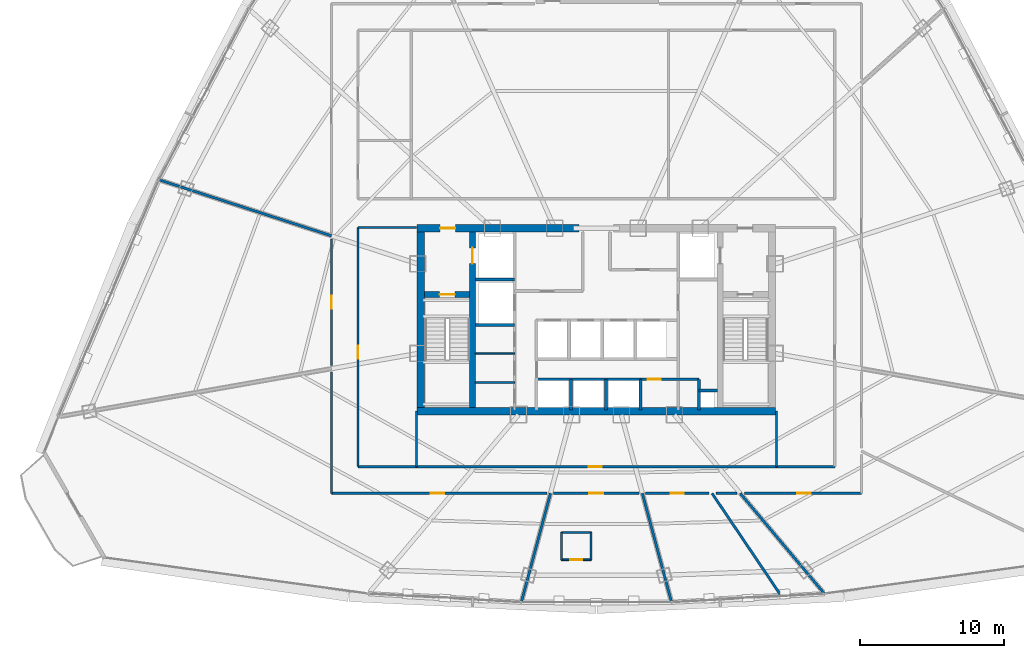
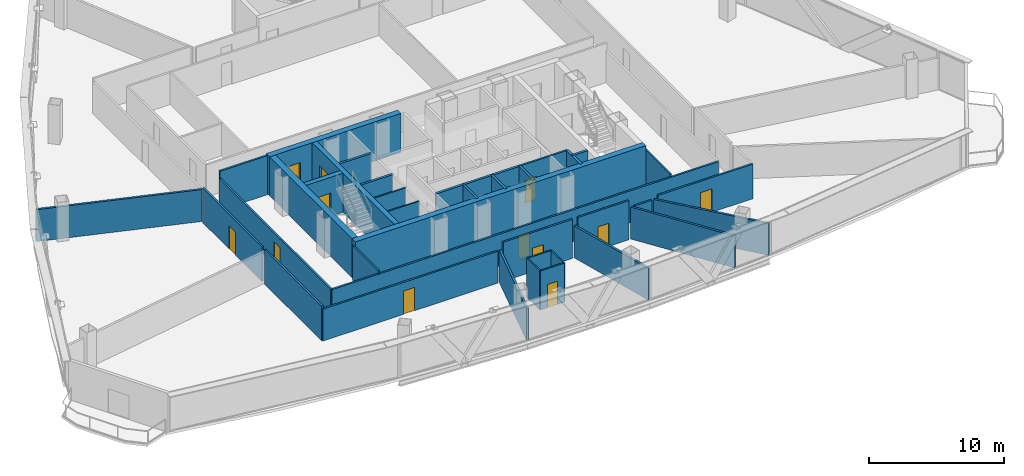
# One storey, part 30 of 37: 37 walls, 12 doors, 12 openings.
"""IFC4 building model written with IfcOpenShell, lengths in metres."""

from ifc_helpers import new_model, si_unit, direction, frame, frame_2d, origin, origin_with_axes, place, context, subcontext, project, spatial, rectangle, extrude, source, transform, mapped, material, layer, layer_set, type_object, element, fill, save


model = new_model("IFC4")

# Units and contexts
model_context = context("Model", 3, precision=1e-05, world=origin(), true_north=direction((0.0, 1.0)))
body_context = subcontext(model_context, "Body", "Model", "MODEL_VIEW")
ifc_project = project(units=[si_unit("LENGTHUNIT", "METRE"), si_unit("AREAUNIT", "SQUARE_METRE"), si_unit("VOLUMEUNIT", "CUBIC_METRE"), si_unit("PLANEANGLEUNIT", "RADIAN"), si_unit("MASSUNIT", "GRAM", prefix="KILO"), si_unit("THERMODYNAMICTEMPERATUREUNIT", "KELVIN"), si_unit("POWERUNIT", "WATT")], contexts=[model_context])

# Site, building, storey
site_placement = place(None, origin())
site = spatial("IfcSite", under=ifc_project, at=site_placement, CompositionType="ELEMENT")
building_placement = place(site_placement, origin())
building = spatial("IfcBuilding", under=site, at=building_placement, Name="Yunzhuo Pagoda Commons", CompositionType="ELEMENT")
storey_placement = place(building_placement, frame((0.0, 0.0, 199.9599609375)))
storey = spatial("IfcBuildingStorey", under=building, at=storey_placement, Name="L50", CompositionType="ELEMENT", Elevation=199.9599609375)

# Wall
ifc_material_1 = material(Name="Concrete C50", Category="concrete")
ifc_layer_1 = layer(ifc_material_1, 0.5)
ifc_layer_set_1 = layer_set([ifc_layer_1], Name="Concrete C50")
wall_type_1 = type_object("IfcWallType", Name="W-C03 Upper Core Shear Wall 500", PredefinedType="SHEAR", material=ifc_layer_set_1)
wall_1_placement = place(storey_placement, frame((35.550048828125, 27.5, 0.0), z_axis=(0.0, 0.0, 1.0), x_axis=(1.0, 0.0, 0.0)))
element("IfcWall", 1, at=wall_1_placement, inside=storey, type_object=wall_type_1, Name="L50 core shear wall S", PredefinedType="SHEAR", context=body_context, shape_type="SweptSolid", body=[
    extrude(rectangle(XDim=24.89990234375, YDim=0.5, at=frame_2d((12.449951171875, 0.0))), origin(), (0.0, 0.0, 1.0), 3.5400390625),
])

# Wall, opening, door
wall_2_placement = place(storey_placement, frame((35.550048828125, 40.199951171875, 0.0), z_axis=(0.0, 0.0, 1.0), x_axis=(1.0, 0.0, 0.0)))
wall_2 = element("IfcWall", 2, at=wall_2_placement, inside=storey, type_object=wall_type_1, Name="L50 core shear wall NW", PredefinedType="SHEAR", context=body_context, shape_type="SweptSolid", body=[
    extrude(rectangle(XDim=11.25, YDim=0.5, at=frame_2d((5.625, 0.0))), origin(), (0.0, 0.0, 1.0), 3.5400390625),
])
opening_1_placement = place(wall_2_placement, frame((1.60009765625, 0.0, 0.0)))
opening_1 = element("IfcOpeningElement", 3, at=opening_1_placement, cuts=wall_2, Name="Opening D-02", PredefinedType="OPENING", context=body_context, shape_type="SweptSolid", body=[
    extrude(rectangle(XDim=1.050048828125, YDim=2.10009765625, at=frame_2d((0.52490234375, 1.050048828125))), frame((0.0, 0.260009765625, 0.0), z_axis=(0.0, -1.0, 0.0), x_axis=(1.0, 0.0, 0.0)), (0.0, 0.0, 1.0), 0.52001953125),
])
ifc_material_2 = material(Name="Galvanized fire-resisting metal leaf")
door_type_1 = type_object("IfcDoorType", Name="D-02 Firefighting Lobby & Refuge Fire Door 1050x2100", OperationType="NOTDEFINED", PredefinedType="DOOR", material=ifc_material_2)
shared_shape_1 = source(origin(), body_context, "Body", "SweptSolid", [
    extrude(rectangle(XDim=1.050048828125, YDim=2.10009765625, at=frame_2d((0.52490234375, 1.050048828125))), frame((0.0, 0.02490234375, 0.0), z_axis=(0.0, -1.0, 0.0), x_axis=(1.0, 0.0, 0.0)), (0.0, 0.0, 1.0), 0.050048828125),
])
door_1_placement = place(opening_1_placement, frame((1.050048828125, 0.0, 0.0), z_axis=(0.0, 0.0, 1.0), x_axis=(-1.0, 0.0, 0.0)))
door_1 = element("IfcDoor", 4, at=door_1_placement, inside=storey, type_object=door_type_1, Name="L50 Firefighting Lobby 1 fire door", OperationType="SINGLE_SWING_LEFT", OverallHeight=2.10009765625, OverallWidth=1.050048828125, PredefinedType="DOOR", context=body_context, shape_type="MappedRepresentation", body=[
    mapped(shared_shape_1, transform((0.0, 0.0, 0.0), scale=1.0)),
])
fill(opening_1, door_1)

# Wall
wall_3_placement = place(storey_placement, frame((35.800048828125, 27.75, 0.0), z_axis=(0.0, 0.0, 1.0), x_axis=(0.0, 1.0, 0.0)))
element("IfcWall", 5, at=wall_3_placement, inside=storey, type_object=wall_type_1, Name="L50 core shear wall W", PredefinedType="SHEAR", context=body_context, shape_type="SweptSolid", body=[
    extrude(rectangle(XDim=12.199951171875, YDim=0.5, at=frame_2d((6.10009765625, 0.0))), origin(), (0.0, 0.0, 1.0), 3.5400390625),
])

# Wall, opening, door
ifc_material_3 = material(Name="Gypsum plasterboard on acoustic stud")
ifc_layer_2 = layer(ifc_material_3, 0.155029296875)
ifc_layer_set_2 = layer_set([ifc_layer_2], Name="Gypsum plasterboard on acoustic stud")
wall_type_2 = type_object("IfcWallType", Name="W-COR2 Mid-Zone Rated Corridor Wall 155", PredefinedType="PARTITIONING", material=ifc_layer_set_2)
wall_4_placement = place(storey_placement, frame((51.050048828125, 29.719970703125, 0.0), z_axis=(0.0, 0.0, 1.0), x_axis=(1.0, 0.0, 0.0)))
wall_4 = element("IfcWall", 6, at=wall_4_placement, inside=storey, type_object=wall_type_2, Name="L50 interior wall IW-L50-CSES", PredefinedType="PARTITIONING", context=body_context, shape_type="SweptSolid", body=[
    extrude(rectangle(XDim=4.070068359375, YDim=0.155029296875, at=frame_2d((2.03515625, 0.0))), origin(), (0.0, 0.0, 1.0), 3.5400390625),
])
opening_2_placement = place(wall_4_placement, frame((0.5, 0.0, 0.0)))
opening_2 = element("IfcOpeningElement", 7, at=opening_2_placement, cuts=wall_4, Name="Opening D-03", PredefinedType="OPENING", context=body_context, shape_type="SweptSolid", body=[
    extrude(rectangle(XDim=0.89990234375, YDim=2.10009765625, at=frame_2d((0.449951171875, 1.050048828125))), frame((0.0, 0.08740234375, 0.0), z_axis=(0.0, -1.0, 0.0), x_axis=(1.0, 0.0, 0.0)), (0.0, 0.0, 1.0), 0.175048828125),
])
door_type_2 = type_object("IfcDoorType", Name="D-03 Core Service Fire Door 900x2100", OperationType="NOTDEFINED", PredefinedType="DOOR", material=ifc_material_2)
shared_shape_2 = source(origin(), body_context, "Body", "SweptSolid", [
    extrude(rectangle(XDim=0.89990234375, YDim=2.10009765625, at=frame_2d((0.449951171875, 1.050048828125))), frame((0.0, 0.02490234375, 0.0), z_axis=(0.0, -1.0, 0.0), x_axis=(1.0, 0.0, 0.0)), (0.0, 0.0, 1.0), 0.050048828125),
])
door_2_placement = place(opening_2_placement, origin_with_axes())
door_2 = element("IfcDoor", 8, at=door_2_placement, inside=storey, type_object=door_type_2, Name="L50 core pantry door", OperationType="SINGLE_SWING_RIGHT", OverallHeight=2.10009765625, OverallWidth=0.89990234375, PredefinedType="DOOR", context=body_context, shape_type="MappedRepresentation", body=[
    mapped(shared_shape_2, transform((0.0, 0.0, 0.0), scale=1.0)),
])
fill(opening_2, door_2)

wall_5_placement = place(storey_placement, frame((31.449951171875, 23.64990234375, 0.0), z_axis=(0.0, 0.0, 1.0), x_axis=(0.0, 1.0, 0.0)))
wall_5 = element("IfcWall", 9, at=wall_5_placement, inside=storey, type_object=wall_type_2, Name="L50 interior wall IW-L50-SFLW", PredefinedType="PARTITIONING", context=body_context, shape_type="SweptSolid", body=[
    extrude(rectangle(XDim=16.60009765625, YDim=0.155029296875, at=frame_2d((8.300048828125, 0.0))), origin(), (0.0, 0.0, 1.0), 2.89013671875),
])
opening_3_placement = place(wall_5_placement, frame((7.5, 0.0, 0.0)))
opening_3 = element("IfcOpeningElement", 10, at=opening_3_placement, cuts=wall_5, Name="Opening D-12", PredefinedType="OPENING", context=body_context, shape_type="SweptSolid", body=[
    extrude(rectangle(XDim=0.89990234375, YDim=2.080078125, at=frame_2d((0.449951171875, 1.0400390625))), frame((0.0, 0.08740234375, 0.0), z_axis=(0.0, -1.0, 0.0), x_axis=(1.0, 0.0, 0.0)), (0.0, 0.0, 1.0), 0.175048828125),
])
ifc_material_4 = material(Name="Powder-coated aluminium and timber acoustic leaf", Category="wood")
door_type_3 = type_object("IfcDoorType", Name="D-12 Quiet Study Interior Door 900x2080", OperationType="NOTDEFINED", PredefinedType="DOOR", material=ifc_material_4)
shared_shape_3 = source(origin(), body_context, "Body", "SweptSolid", [
    extrude(rectangle(XDim=0.89990234375, YDim=2.080078125, at=frame_2d((0.449951171875, 1.0400390625))), frame((0.0, 0.02490234375, 0.0), z_axis=(0.0, -1.0, 0.0), x_axis=(1.0, 0.0, 0.0)), (0.0, 0.0, 1.0), 0.050048828125),
])
door_3_placement = place(opening_3_placement, origin_with_axes())
door_3 = element("IfcDoor", 11, at=door_3_placement, inside=storey, type_object=door_type_3, Name="L50 west study workroom door", OperationType="SINGLE_SWING_LEFT", OverallHeight=2.080078125, OverallWidth=0.89990234375, PredefinedType="DOOR", context=body_context, shape_type="MappedRepresentation", body=[
    mapped(shared_shape_3, transform((0.0, 0.0, 0.0), scale=1.0)),
])
fill(opening_3, door_3)

wall_6_placement = place(storey_placement, frame((31.449951171875, 23.64990234375, 0.0), z_axis=(0.0, 0.0, 1.0), x_axis=(1.0, 0.0, 0.0)))
wall_6 = element("IfcWall", 12, at=wall_6_placement, inside=storey, type_object=wall_type_2, Name="L50 interior wall IW-L50-SFLS", PredefinedType="PARTITIONING", context=body_context, shape_type="SweptSolid", body=[
    extrude(rectangle(XDim=33.10009765625, YDim=0.155029296875, at=frame_2d((16.550048828125, 0.0))), origin(), (0.0, 0.0, 1.0), 2.89013671875),
])
opening_4_placement = place(wall_6_placement, frame((16.0, 0.0, 0.0)))
opening_4 = element("IfcOpeningElement", 13, at=opening_4_placement, cuts=wall_6, Name="Opening D-04", PredefinedType="OPENING", context=body_context, shape_type="SweptSolid", body=[
    extrude(rectangle(XDim=0.919921875, YDim=2.10009765625, at=frame_2d((0.4599609375, 1.050048828125))), frame((0.0, 0.08740234375, 0.0), z_axis=(0.0, -1.0, 0.0), x_axis=(1.0, 0.0, 0.0)), (0.0, 0.0, 1.0), 0.175048828125),
])
door_type_4 = type_object("IfcDoorType", Name="D-04 Bedroom & Study Interior Door 920x2100", OperationType="NOTDEFINED", PredefinedType="DOOR", material=ifc_material_4)
shared_shape_4 = source(origin(), body_context, "Body", "SweptSolid", [
    extrude(rectangle(XDim=0.919921875, YDim=2.10009765625, at=frame_2d((0.4599609375, 1.050048828125))), frame((0.0, 0.02490234375, 0.0), z_axis=(0.0, -1.0, 0.0), x_axis=(1.0, 0.0, 0.0)), (0.0, 0.0, 1.0), 0.050048828125),
])
door_4_placement = place(opening_4_placement, frame((0.919921875, 0.0, 0.0), z_axis=(0.0, 0.0, 1.0), x_axis=(-1.0, 0.0, 0.0)))
door_4 = element("IfcDoor", 14, at=door_4_placement, inside=storey, type_object=door_type_4, Name="L50 south seminar room door", OperationType="SINGLE_SWING_RIGHT", OverallHeight=2.10009765625, OverallWidth=0.919921875, PredefinedType="DOOR", context=body_context, shape_type="MappedRepresentation", body=[
    mapped(shared_shape_4, transform((0.0, 0.0, 0.0), scale=1.0)),
])
fill(opening_4, door_4)

# Walls
wall_7_placement = place(storey_placement, frame((31.449951171875, 40.25, 0.0), z_axis=(0.0, 0.0, 1.0), x_axis=(1.0, 0.0, 0.0)))
element("IfcWall", 15, at=wall_7_placement, inside=storey, type_object=wall_type_2, Name="L50 interior wall IW-L50-SFLNW", PredefinedType="PARTITIONING", context=body_context, shape_type="SweptSolid", body=[
    extrude(rectangle(XDim=4.050048828125, YDim=0.155029296875, at=frame_2d((2.02490234375, 0.0))), origin(), (0.0, 0.0, 1.0), 3.5400390625),
])
wall_8_placement = place(storey_placement, frame((29.60009765625, 21.800048828125, 0.0), z_axis=(0.0, 0.0, 1.0), x_axis=(0.0, 1.0, 0.0)))
element("IfcWall", 16, at=wall_8_placement, inside=storey, type_object=wall_type_2, Name="L50 interior wall IW-L50-CWL01", PredefinedType="PARTITIONING", context=body_context, shape_type="SweptSolid", body=[
    extrude(rectangle(XDim=8.43212890625, YDim=0.155029296875, at=frame_2d((4.216064453125, 0.0))), origin(), (0.0, 0.0, 1.0), 3.14013671875),
])

# Wall, opening, door
wall_9_placement = place(storey_placement, frame((29.60009765625, 30.67529296875, 0.0), z_axis=(0.0, 0.0, 1.0), x_axis=(0.0, 1.0, 0.0)))
wall_9 = element("IfcWall", 17, at=wall_9_placement, inside=storey, type_object=wall_type_2, Name="L50 interior wall IW-L50-CWL02", PredefinedType="PARTITIONING", context=body_context, shape_type="SweptSolid", body=[
    extrude(rectangle(XDim=8.783447265625, YDim=0.155029296875, at=frame_2d((4.3916015625, 0.0))), origin(), (0.0, 0.0, 1.0), 3.14013671875),
])
opening_5_placement = place(wall_9_placement, frame((3.931640625, 0.0, 0.0)))
opening_5 = element("IfcOpeningElement", 18, at=opening_5_placement, cuts=wall_9, Name="Opening D-04", PredefinedType="OPENING", context=body_context, shape_type="SweptSolid", body=[
    extrude(rectangle(XDim=0.919921875, YDim=2.10009765625, at=frame_2d((0.4599609375, 1.050048828125))), frame((0.0, 0.08740234375, 0.0), z_axis=(0.0, -1.0, 0.0), x_axis=(1.0, 0.0, 0.0)), (0.0, 0.0, 1.0), 0.175048828125),
])
door_5_placement = place(opening_5_placement, origin_with_axes())
door_5 = element("IfcDoor", 19, at=door_5_placement, inside=storey, type_object=door_type_4, Name="L50 seminar room 05 door", OperationType="SINGLE_SWING_RIGHT", OverallHeight=2.10009765625, OverallWidth=0.919921875, PredefinedType="DOOR", context=body_context, shape_type="MappedRepresentation", body=[
    mapped(shared_shape_4, transform((0.0, 0.0, 0.0), scale=1.0)),
])
fill(opening_5, door_5)

wall_10_placement = place(storey_placement, frame((66.39990234375, 21.800048828125, 0.0), z_axis=(0.0, 0.0, 1.0), x_axis=(-1.0, 0.0, 0.0)))
wall_10 = element("IfcWall", 20, at=wall_10_placement, inside=storey, type_object=wall_type_2, Name="L50 interior wall IW-L50-CWL12", PredefinedType="PARTITIONING", context=body_context, shape_type="SweptSolid", body=[
    extrude(rectangle(XDim=8.12744140625, YDim=0.155029296875, at=frame_2d((4.063720703125, 0.0))), origin(), (0.0, 0.0, 1.0), 3.14013671875),
])
opening_6_placement = place(wall_10_placement, frame((3.50244140625, 0.0, 0.0)))
opening_6 = element("IfcOpeningElement", 21, at=opening_6_placement, cuts=wall_10, Name="Opening D-07", PredefinedType="OPENING", context=body_context, shape_type="SweptSolid", body=[
    extrude(rectangle(XDim=0.9599609375, YDim=2.1201171875, at=frame_2d((0.47998046875, 1.06005859375))), frame((0.0, 0.08740234375, 0.0), z_axis=(0.0, -1.0, 0.0), x_axis=(1.0, 0.0, 0.0)), (0.0, 0.0, 1.0), 0.175048828125),
])
door_type_5 = type_object("IfcDoorType", Name="D-07 Mid-Zone Suite Entrance Fire Door 960x2120", OperationType="NOTDEFINED", PredefinedType="DOOR", material=ifc_material_2)
shared_shape_5 = source(origin(), body_context, "Body", "SweptSolid", [
    extrude(rectangle(XDim=0.9599609375, YDim=2.1201171875, at=frame_2d((0.47998046875, 1.06005859375))), frame((0.0, 0.02490234375, 0.0), z_axis=(0.0, -1.0, 0.0), x_axis=(1.0, 0.0, 0.0)), (0.0, 0.0, 1.0), 0.050048828125),
])
door_6_placement = place(opening_6_placement, origin_with_axes())
door_6 = element("IfcDoor", 22, at=door_6_placement, inside=storey, type_object=door_type_5, Name="L50 unit 10 entrance door", OperationType="SINGLE_SWING_LEFT", OverallHeight=2.1201171875, OverallWidth=0.9599609375, PredefinedType="DOOR", context=body_context, shape_type="MappedRepresentation", body=[
    mapped(shared_shape_5, transform((0.0, 0.0, 0.0), scale=1.0)),
])
fill(opening_6, door_6)

# Wall
wall_11_placement = place(storey_placement, frame((57.765380859375, 21.800048828125, 0.0), z_axis=(0.0, 0.0, 1.0), x_axis=(-1.0, 0.0, 0.0)))
element("IfcWall", 23, at=wall_11_placement, inside=storey, type_object=wall_type_2, Name="L50 interior wall IW-L50-CWL13", PredefinedType="PARTITIONING", context=body_context, shape_type="SweptSolid", body=[
    extrude(rectangle(XDim=1.473388671875, YDim=0.155029296875, at=frame_2d((0.73681640625, 0.0))), origin(), (0.0, 0.0, 1.0), 2.89013671875),
])

# Wall, opening, door
wall_12_placement = place(storey_placement, frame((55.806640625, 21.800048828125, 0.0), z_axis=(0.0, 0.0, 1.0), x_axis=(-1.0, 0.0, 0.0)))
wall_12 = element("IfcWall", 24, at=wall_12_placement, inside=storey, type_object=wall_type_2, Name="L50 interior wall IW-L50-CWL14", PredefinedType="PARTITIONING", context=body_context, shape_type="SweptSolid", body=[
    extrude(rectangle(XDim=4.39013671875, YDim=0.155029296875, at=frame_2d((2.195068359375, 0.0))), origin(), (0.0, 0.0, 1.0), 3.5400390625),
])
opening_7_placement = place(wall_12_placement, frame((1.739013671875, 0.0, 0.0)))
opening_7 = element("IfcOpeningElement", 25, at=opening_7_placement, cuts=wall_12, Name="Opening D-04", PredefinedType="OPENING", context=body_context, shape_type="SweptSolid", body=[
    extrude(rectangle(XDim=0.919921875, YDim=2.10009765625, at=frame_2d((0.4599609375, 1.050048828125))), frame((0.0, 0.08740234375, 0.0), z_axis=(0.0, -1.0, 0.0), x_axis=(1.0, 0.0, 0.0)), (0.0, 0.0, 1.0), 0.175048828125),
])
door_7_placement = place(opening_7_placement, origin_with_axes())
door_7 = element("IfcDoor", 26, at=door_7_placement, inside=storey, type_object=door_type_4, Name="L50 fellow workroom 08 door", OperationType="SINGLE_SWING_LEFT", OverallHeight=2.10009765625, OverallWidth=0.919921875, PredefinedType="DOOR", context=body_context, shape_type="MappedRepresentation", body=[
    mapped(shared_shape_4, transform((0.0, 0.0, 0.0), scale=1.0)),
])
fill(opening_7, door_7)

wall_13_placement = place(storey_placement, frame((50.96875, 21.800048828125, 0.0), z_axis=(0.0, 0.0, 1.0), x_axis=(-1.0, 0.0, 0.0)))
wall_13 = element("IfcWall", 27, at=wall_13_placement, inside=storey, type_object=wall_type_2, Name="L50 interior wall IW-L50-CWL15", PredefinedType="PARTITIONING", context=body_context, shape_type="SweptSolid", body=[
    extrude(rectangle(XDim=5.9375, YDim=0.155029296875, at=frame_2d((2.96875, 0.0))), origin(), (0.0, 0.0, 1.0), 3.5400390625),
])
opening_8_placement = place(wall_13_placement, frame((2.493896484375, 0.0, 0.0)))
opening_8 = element("IfcOpeningElement", 28, at=opening_8_placement, cuts=wall_13, Name="Opening D-07", PredefinedType="OPENING", context=body_context, shape_type="SweptSolid", body=[
    extrude(rectangle(XDim=0.9599609375, YDim=2.1201171875, at=frame_2d((0.47998046875, 1.06005859375))), frame((0.0, 0.08740234375, 0.0), z_axis=(0.0, -1.0, 0.0), x_axis=(1.0, 0.0, 0.0)), (0.0, 0.0, 1.0), 0.175048828125),
])
door_8_placement = place(opening_8_placement, origin_with_axes())
door_8 = element("IfcDoor", 29, at=door_8_placement, inside=storey, type_object=door_type_5, Name="L50 unit 07 entrance door", OperationType="SINGLE_SWING_RIGHT", OverallHeight=2.1201171875, OverallWidth=0.9599609375, PredefinedType="DOOR", context=body_context, shape_type="MappedRepresentation", body=[
    mapped(shared_shape_5, transform((0.0, 0.0, 0.0), scale=1.0)),
])
fill(opening_8, door_8)

wall_14_placement = place(storey_placement, frame((44.58349609375, 21.800048828125, 0.0), z_axis=(0.0, 0.0, 1.0), x_axis=(-1.0, 0.0, 0.0)))
wall_14 = element("IfcWall", 30, at=wall_14_placement, inside=storey, type_object=wall_type_2, Name="L50 interior wall IW-L50-CWL16", PredefinedType="PARTITIONING", context=body_context, shape_type="SweptSolid", body=[
    extrude(rectangle(XDim=14.9833984375, YDim=0.155029296875, at=frame_2d((7.49169921875, 0.0))), origin(), (0.0, 0.0, 1.0), 2.89013671875),
])
opening_9_placement = place(wall_14_placement, frame((7.1328125, 0.0, 0.0)))
opening_9 = element("IfcOpeningElement", 31, at=opening_9_placement, cuts=wall_14, Name="Opening D-07", PredefinedType="OPENING", context=body_context, shape_type="SweptSolid", body=[
    extrude(rectangle(XDim=0.9599609375, YDim=2.1201171875, at=frame_2d((0.47998046875, 1.06005859375))), frame((0.0, 0.08740234375, 0.0), z_axis=(0.0, -1.0, 0.0), x_axis=(1.0, 0.0, 0.0)), (0.0, 0.0, 1.0), 0.175048828125),
])
door_9_placement = place(opening_9_placement, origin_with_axes())
door_9 = element("IfcDoor", 32, at=door_9_placement, inside=storey, type_object=door_type_5, Name="L50 Academic Reading Commons 2 door", OperationType="SINGLE_SWING_LEFT", OverallHeight=2.1201171875, OverallWidth=0.9599609375, PredefinedType="DOOR", context=body_context, shape_type="MappedRepresentation", body=[
    mapped(shared_shape_5, transform((0.0, 0.0, 0.0), scale=1.0)),
])
fill(opening_9, door_9)

# Walls
ifc_layer_3 = layer(ifc_material_3, 0.1201171875)
ifc_layer_set_3 = layer_set([ifc_layer_3], Name="Gypsum plasterboard on acoustic stud")
wall_type_3 = type_object("IfcWallType", Name="W-PRT1 Suite & Bathroom Partition 120", PredefinedType="PARTITIONING", material=ifc_layer_set_3)
for number, where, z_axis, x_axis, name in (
    (33, (39.60009765625, 29.5, 0.0), (0.0, 0.0, 1.0), (1.0, 0.0, 0.0), "L50 interior wall IW-L50-CC1"),
    (34, (39.60009765625, 31.5, 0.0), (0.0, 0.0, 1.0), (1.0, 0.0, 0.0), "L50 interior wall IW-L50-CC2"),
):
    element("IfcWall", number, at=place(storey_placement, frame(where, z_axis=z_axis, x_axis=x_axis)), inside=storey, type_object=wall_type_3, Name=name, PredefinedType="PARTITIONING", context=body_context, shape_type="SweptSolid", body=[
        extrude(rectangle(XDim=2.719970703125, YDim=0.1201171875, at=frame_2d((1.35986328125, 0.0))), origin(), (0.0, 0.0, 1.0), 3.5400390625),
    ])
for number, where, z_axis, x_axis, name in (
    (35, (35.5, 23.64990234375, 0.0), (0.0, 0.0, 1.0), (0.0, 1.0, 0.0), "L50 interior wall IW-L50-SFLD1"),
    (36, (60.5, 23.64990234375, 0.0), (0.0, 0.0, 1.0), (0.0, 1.0, 0.0), "L50 interior wall IW-L50-SFLD2"),
):
    element("IfcWall", number, at=place(storey_placement, frame(where, z_axis=z_axis, x_axis=x_axis)), inside=storey, type_object=wall_type_3, Name=name, PredefinedType="PARTITIONING", context=body_context, shape_type="SweptSolid", body=[
        extrude(rectangle(XDim=3.85009765625, YDim=0.1201171875, at=frame_2d((1.925048828125, 0.0))), origin(), (0.0, 0.0, 1.0), 3.14013671875),
    ])

# Wall, opening, door
wall_15_placement = place(storey_placement, frame((45.574951171875, 17.18701171875, 0.0), z_axis=(0.0, 0.0, 1.0), x_axis=(1.0, 0.0, 0.0)))
wall_15 = element("IfcWall", 37, at=wall_15_placement, inside=storey, type_object=wall_type_3, Name="L50 interior wall IW-L50-B07S", PredefinedType="PARTITIONING", context=body_context, shape_type="SweptSolid", body=[
    extrude(rectangle(XDim=2.050048828125, YDim=0.1201171875, at=frame_2d((1.02490234375, 0.0))), origin(), (0.0, 0.0, 1.0), 3.5400390625),
])
opening_10_placement = place(wall_15_placement, frame((0.60009765625, 0.0, 0.0)))
opening_10 = element("IfcOpeningElement", 38, at=opening_10_placement, cuts=wall_15, Name="Opening D-05", PredefinedType="OPENING", context=body_context, shape_type="SweptSolid", body=[
    extrude(rectangle(XDim=0.85009765625, YDim=2.10009765625, at=frame_2d((0.425048828125, 1.050048828125))), frame((0.0, 0.070068359375, 0.0), z_axis=(0.0, -1.0, 0.0), x_axis=(1.0, 0.0, 0.0)), (0.0, 0.0, 1.0), 0.14013671875),
])
door_type_6 = type_object("IfcDoorType", Name="D-05 En-Suite Bathroom Door 850x2100", OperationType="NOTDEFINED", PredefinedType="DOOR", material=ifc_material_4)
shared_shape_6 = source(origin(), body_context, "Body", "SweptSolid", [
    extrude(rectangle(XDim=0.85009765625, YDim=2.10009765625, at=frame_2d((0.425048828125, 1.050048828125))), frame((0.0, 0.02490234375, 0.0), z_axis=(0.0, -1.0, 0.0), x_axis=(1.0, 0.0, 0.0)), (0.0, 0.0, 1.0), 0.050048828125),
])
door_10_placement = place(opening_10_placement, frame((0.85009765625, 0.0, 0.0), z_axis=(0.0, 0.0, 1.0), x_axis=(-1.0, 0.0, 0.0)))
door_10 = element("IfcDoor", 39, at=door_10_placement, inside=storey, type_object=door_type_6, Name="L50 unit 07 bathroom door", OperationType="SINGLE_SWING_RIGHT", OverallHeight=2.10009765625, OverallWidth=0.85009765625, PredefinedType="DOOR", context=body_context, shape_type="MappedRepresentation", body=[
    mapped(shared_shape_6, transform((0.0, 0.0, 0.0), scale=1.0)),
])
fill(opening_10, door_10)

# Walls
wall_16_placement = place(storey_placement, frame((47.625, 17.18701171875, 0.0), z_axis=(0.0, 0.0, 1.0), x_axis=(0.0, 1.0, 0.0)))
element("IfcWall", 40, at=wall_16_placement, inside=storey, type_object=wall_type_3, Name="L50 interior wall IW-L50-B07E", PredefinedType="PARTITIONING", context=body_context, shape_type="SweptSolid", body=[
    extrude(rectangle(XDim=1.89990234375, YDim=0.1201171875, at=frame_2d((0.949951171875, 0.0))), origin(), (0.0, 0.0, 1.0), 3.5400390625),
])
wall_17_placement = place(storey_placement, frame((47.625, 19.0869140625, 0.0), z_axis=(0.0, 0.0, 1.0), x_axis=(-1.0, 0.0, 0.0)))
element("IfcWall", 41, at=wall_17_placement, inside=storey, type_object=wall_type_3, Name="L50 interior wall IW-L50-B07N", PredefinedType="PARTITIONING", context=body_context, shape_type="SweptSolid", body=[
    extrude(rectangle(XDim=2.050048828125, YDim=0.1201171875, at=frame_2d((1.02490234375, 0.0))), origin(), (0.0, 0.0, 1.0), 3.5400390625),
])
wall_18_placement = place(storey_placement, frame((45.574951171875, 19.0869140625, 0.0), z_axis=(0.0, 0.0, 1.0), x_axis=(0.0, -1.0, 0.0)))
element("IfcWall", 42, at=wall_18_placement, inside=storey, type_object=wall_type_3, Name="L50 interior wall IW-L50-B07W", PredefinedType="PARTITIONING", context=body_context, shape_type="SweptSolid", body=[
    extrude(rectangle(XDim=1.89990234375, YDim=0.1201171875, at=frame_2d((0.949951171875, 0.0))), origin(), (0.0, 0.0, 1.0), 3.5400390625),
])
ifc_layer_4 = layer(ifc_material_3, 0.175048828125)
ifc_layer_set_4 = layer_set([ifc_layer_4], Name="Gypsum plasterboard on acoustic stud")
wall_type_4 = type_object("IfcWallType", Name="W-PRT3 Mid-Zone Demising Wall 175", PredefinedType="PARTITIONING", material=ifc_layer_set_4)
wall_19_placement = place(storey_placement, frame((29.60009765625, 39.678466796875, 0.0), z_axis=(0.0, 0.0, 1.0), x_axis=(-0.951056149915, 0.309018121975, 0.0)))
element("IfcWall", 43, at=wall_19_placement, inside=storey, type_object=wall_type_4, Name="L50 interior wall IW-L50-RAD04", PredefinedType="PARTITIONING", context=body_context, shape_type="SweptSolid", body=[
    extrude(rectangle(XDim=12.592529296875, YDim=0.175048828125, at=frame_2d((6.29638671875, 0.0))), origin(), (0.0, 0.0, 1.0), 2.89013671875),
])
for number, where, z_axis, x_axis, name in (
    (44, (44.811279296875, 21.800048828125, 0.0), (0.0, 0.0, 1.0), (-0.258810863021, -0.965928018634, 0.0), "L50 interior wall IW-L50-RAD06"),
    (45, (51.188720703125, 21.800048828125, 0.0), (0.0, 0.0, 1.0), (0.258810863021, -0.965928018634, 0.0), "L50 interior wall IW-L50-RAD07"),
):
    element("IfcWall", number, at=place(storey_placement, frame(where, z_axis=z_axis, x_axis=x_axis)), inside=storey, type_object=wall_type_4, Name=name, PredefinedType="PARTITIONING", context=body_context, shape_type="SweptSolid", body=[
        extrude(rectangle(XDim=7.833251953125, YDim=0.175048828125, at=frame_2d((3.91650390625, 0.0))), origin(), (0.0, 0.0, 1.0), 2.89013671875),
    ])
wall_20_placement = place(storey_placement, frame((56.026611328125, 21.800048828125, 0.0), z_axis=(0.0, 0.0, 1.0), x_axis=(0.559186988523, -0.829041562207, 0.0)))
element("IfcWall", 46, at=wall_20_placement, inside=storey, type_object=wall_type_4, Name="L50 interior wall IW-L50-RAD08", PredefinedType="PARTITIONING", context=body_context, shape_type="SweptSolid", body=[
    extrude(rectangle(XDim=8.611083984375, YDim=0.175048828125, at=frame_2d((4.3056640625, 0.0))), origin(), (0.0, 0.0, 1.0), 2.89013671875),
])
wall_21_placement = place(storey_placement, frame((57.9853515625, 21.800048828125, 0.0), z_axis=(0.0, 0.0, 1.0), x_axis=(0.642790573147, -0.76604195647, 0.0)))
element("IfcWall", 47, at=wall_21_placement, inside=storey, type_object=wall_type_4, Name="L50 interior wall IW-L50-RAD09", PredefinedType="PARTITIONING", context=body_context, shape_type="SweptSolid", body=[
    extrude(rectangle(XDim=9.099853515625, YDim=0.175048828125, at=frame_2d((4.5498046875, 0.0))), origin(), (0.0, 0.0, 1.0), 2.89013671875),
])

# Wall, opening, door
ifc_material_5 = material(Name="Concrete C60", Category="concrete")
ifc_layer_5 = layer(ifc_material_5, 0.39990234375)
ifc_layer_set_5 = layer_set([ifc_layer_5], Name="Concrete C60")
wall_type_5 = type_object("IfcWallType", Name="W-S01 Internal Core Shear Web 400", PredefinedType="SHEAR", material=ifc_layer_set_5)
wall_22_placement = place(storey_placement, frame((39.39990234375, 27.75, 0.0), z_axis=(0.0, 0.0, 1.0), x_axis=(0.0, 1.0, 0.0)))
wall_22 = element("IfcWall", 48, at=wall_22_placement, inside=storey, type_object=wall_type_5, Name="L50 core shear wall WEBW", PredefinedType="SHEAR", context=body_context, shape_type="SweptSolid", body=[
    extrude(rectangle(XDim=12.199951171875, YDim=0.39990234375, at=frame_2d((6.10009765625, 0.0))), origin(), (0.0, 0.0, 1.0), 3.5400390625),
])
opening_11_placement = place(wall_22_placement, frame((10.0, 0.0, 0.0)))
opening_11 = element("IfcOpeningElement", 49, at=opening_11_placement, cuts=wall_22, Name="Opening LD-01", PredefinedType="OPENING", context=body_context, shape_type="SweptSolid", body=[
    extrude(rectangle(XDim=1.10009765625, YDim=2.10009765625, at=frame_2d((0.550048828125, 1.050048828125))), frame((0.0, 0.2099609375, 0.0), z_axis=(0.0, -1.0, 0.0), x_axis=(1.0, 0.0, 0.0)), (0.0, 0.0, 1.0), 0.419921875),
])
door_type_7 = type_object("IfcDoorType", Name="LD-01 Firefighting Lift Landing Door 1100x2100", OperationType="DOUBLE_DOOR_SLIDING", PredefinedType="DOOR", material=ifc_material_2)
shared_shape_7 = source(origin(), body_context, "Body", "SweptSolid", [
    extrude(rectangle(XDim=1.10009765625, YDim=2.10009765625, at=frame_2d((0.550048828125, 1.050048828125))), frame((0.0, 0.02490234375, 0.0), z_axis=(0.0, -1.0, 0.0), x_axis=(1.0, 0.0, 0.0)), (0.0, 0.0, 1.0), 0.050048828125),
])
door_11_placement = place(opening_11_placement, frame((1.10009765625, 0.0, 0.0), z_axis=(0.0, 0.0, 1.0), x_axis=(-1.0, 0.0, 0.0)))
door_11 = element("IfcDoor", 50, at=door_11_placement, inside=storey, type_object=door_type_7, Name="L50 Firefighting lift FL-1 landing door", OperationType="DOUBLE_DOOR_SLIDING", OverallHeight=2.10009765625, OverallWidth=1.10009765625, PredefinedType="DOOR", context=body_context, shape_type="MappedRepresentation", body=[
    mapped(shared_shape_7, transform((0.0, 0.0, 0.0), scale=1.0)),
])
fill(opening_11, door_11)

wall_23_placement = place(storey_placement, frame((36.050048828125, 35.60009765625, 0.0), z_axis=(0.0, 0.0, 1.0), x_axis=(1.0, 0.0, 0.0)))
wall_23 = element("IfcWall", 51, at=wall_23_placement, inside=storey, type_object=wall_type_5, Name="L50 core shear wall STW", PredefinedType="SHEAR", context=body_context, shape_type="SweptSolid", body=[
    extrude(rectangle(XDim=3.14990234375, YDim=0.39990234375, at=frame_2d((1.574951171875, 0.0))), origin(), (0.0, 0.0, 1.0), 3.5400390625),
])
opening_12_placement = place(wall_23_placement, frame((1.070068359375, 0.0, 0.0)))
opening_12 = element("IfcOpeningElement", 52, at=opening_12_placement, cuts=wall_23, Name="Opening D-01", PredefinedType="OPENING", context=body_context, shape_type="SweptSolid", body=[
    extrude(rectangle(XDim=1.050048828125, YDim=2.10009765625, at=frame_2d((0.52490234375, 1.050048828125))), frame((0.0, 0.2099609375, 0.0), z_axis=(0.0, -1.0, 0.0), x_axis=(1.0, 0.0, 0.0)), (0.0, 0.0, 1.0), 0.419921875),
])
door_type_8 = type_object("IfcDoorType", Name="D-01 Smokeproof Stair Fire Door 1050x2100", OperationType="NOTDEFINED", PredefinedType="DOOR", material=ifc_material_2)
door_12_placement = place(opening_12_placement, frame((1.050048828125, 0.0, 0.0), z_axis=(0.0, 0.0, 1.0), x_axis=(-1.0, 0.0, 0.0)))
door_12 = element("IfcDoor", 53, at=door_12_placement, inside=storey, type_object=door_type_8, Name="L50 Stair ST1 fire door", OperationType="SINGLE_SWING_LEFT", OverallHeight=2.10009765625, OverallWidth=1.050048828125, PredefinedType="DOOR", context=body_context, shape_type="MappedRepresentation", body=[
    mapped(shared_shape_1, transform((0.0, 0.0, 0.0), scale=1.0)),
])
fill(opening_12, door_12)

# Walls
ifc_material_6 = material(Name="Concrete C40", Category="concrete")
ifc_layer_6 = layer(ifc_material_6, 0.199951171875)
ifc_layer_set_6 = layer_set([ifc_layer_6], Name="Concrete C40")
wall_type_6 = type_object("IfcWallType", Name="W-SHF Shaft & Stair Enclosure Wall 200", PredefinedType="SOLIDWALL", material=ifc_layer_set_6)
for number, where, z_axis, x_axis, name in (
    (54, (39.60009765625, 36.64990234375, 0.0), (0.0, 0.0, 1.0), (1.0, 0.0, 0.0), "L50 interior wall IW-L50-FL1S"),
    (55, (39.60009765625, 33.5, 0.0), (0.0, 0.0, 1.0), (1.0, 0.0, 0.0), "L50 interior wall IW-L50-SL1S"),
):
    element("IfcWall", number, at=place(storey_placement, frame(where, z_axis=z_axis, x_axis=x_axis)), inside=storey, type_object=wall_type_6, Name=name, PredefinedType="SOLIDWALL", context=body_context, shape_type="SweptSolid", body=[
        extrude(rectangle(XDim=2.719970703125, YDim=0.199951171875, at=frame_2d((1.35986328125, 0.0))), origin(), (0.0, 0.0, 1.0), 3.5400390625),
    ])
wall_24_placement = place(storey_placement, frame((43.85009765625, 29.719970703125, 0.0), z_axis=(0.0, 0.0, 1.0), x_axis=(1.0, 0.0, 0.0)))
element("IfcWall", 56, at=wall_24_placement, inside=storey, type_object=wall_type_6, Name="L50 interior wall IW-L50-PLHN", PredefinedType="SOLIDWALL", context=body_context, shape_type="SweptSolid", body=[
    extrude(rectangle(XDim=7.199951171875, YDim=0.199951171875, at=frame_2d((3.60009765625, 0.0))), origin(), (0.0, 0.0, 1.0), 3.5400390625),
])
for number, where, z_axis, x_axis, name in (
    (57, (51.050048828125, 27.60009765625, 0.0), (0.0, 0.0, 1.0), (0.0, 1.0, 0.0), "L50 interior wall IW-L50-PLHE"),
    (58, (46.22509765625, 27.60009765625, 0.0), (0.0, 0.0, 1.0), (0.0, 1.0, 0.0), "L50 interior wall IW-L50-PLHD1"),
    (59, (48.675048828125, 27.60009765625, 0.0), (0.0, 0.0, 1.0), (0.0, 1.0, 0.0), "L50 interior wall IW-L50-PLHD2"),
    (60, (55.1201171875, 27.60009765625, 0.0), (0.0, 0.0, 1.0), (0.0, 1.0, 0.0), "L50 interior wall IW-L50-RSHFW"),
):
    element("IfcWall", number, at=place(storey_placement, frame(where, z_axis=z_axis, x_axis=x_axis)), inside=storey, type_object=wall_type_6, Name=name, PredefinedType="SOLIDWALL", context=body_context, shape_type="SweptSolid", body=[
        extrude(rectangle(XDim=2.119873046875, YDim=0.199951171875, at=frame_2d((1.06005859375, 0.0))), origin(), (0.0, 0.0, 1.0), 3.5400390625),
    ])
wall_25_placement = place(storey_placement, frame((55.1201171875, 28.949951171875, 0.0), z_axis=(0.0, 0.0, 1.0), x_axis=(1.0, 0.0, 0.0)))
element("IfcWall", 61, at=wall_25_placement, inside=storey, type_object=wall_type_6, Name="L50 interior wall IW-L50-RSHFN", PredefinedType="SOLIDWALL", context=body_context, shape_type="SweptSolid", body=[
    extrude(rectangle(XDim=1.27978515625, YDim=0.199951171875, at=frame_2d((0.639892578125, 0.0))), origin(), (0.0, 0.0, 1.0), 3.5400390625),
])

save(model, "model.ifc")
